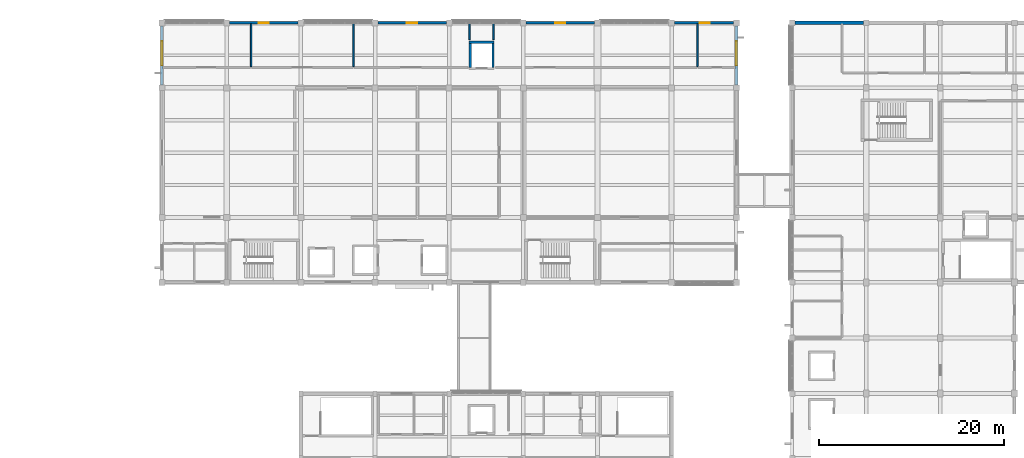
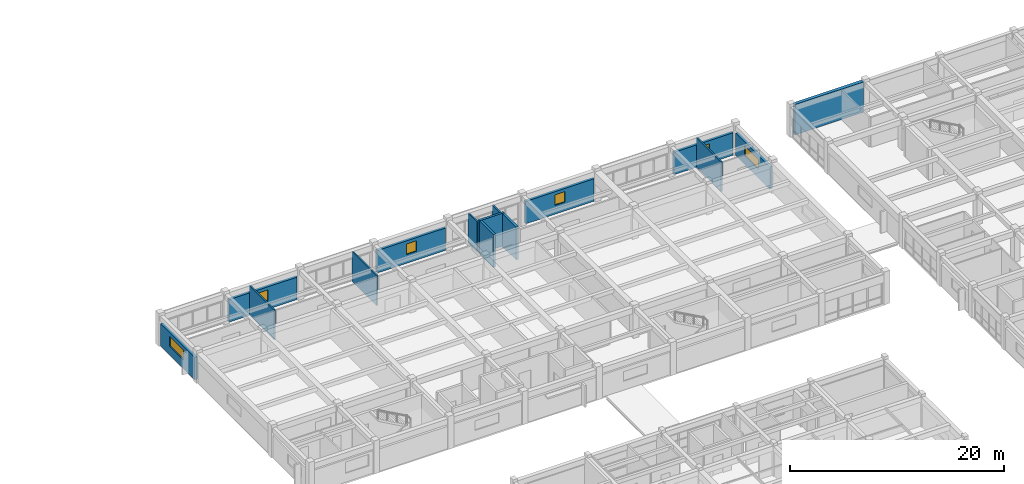
# One storey, part 26 of 33: 15 walls, 6 windows, 6 openings.
"""IFC4 building model written with IfcOpenShell, lengths in metres."""

from ifc_helpers import new_model, si_unit, direction, frame, frame_2d, origin, place, context, subcontext, project, spatial, rectangle, extrude, material, layer, layer_set, type_object, element, fill, save


model = new_model("IFC4")

# Units and contexts
model_context = context("Model", 3, precision=1e-05, world=origin(), true_north=direction((0.0, 1.0)))
body_context = subcontext(model_context, "Body", "Model", "MODEL_VIEW")
ifc_project = project(units=[si_unit("LENGTHUNIT", "METRE"), si_unit("AREAUNIT", "SQUARE_METRE"), si_unit("VOLUMEUNIT", "CUBIC_METRE"), si_unit("PLANEANGLEUNIT", "RADIAN"), si_unit("MASSUNIT", "GRAM", prefix="KILO")], contexts=[model_context])

# Site, building, storey
site_placement = place(None, origin())
site = spatial("IfcSite", under=ifc_project, at=site_placement, CompositionType="ELEMENT")
building_placement = place(site_placement, origin())
building = spatial("IfcBuilding", under=site, at=building_placement, Name="Naurynzar Civic Courthouse", CompositionType="ELEMENT")
storey_placement = place(building_placement, frame((0.0, 0.0, 22.050048828125)))
storey = spatial("IfcBuildingStorey", under=building, at=storey_placement, Name="L06", CompositionType="ELEMENT", Elevation=22.050048828125)

# Wall, opening, window
ifc_material_1 = material(Name="Precast concrete C40/50", Category="concrete")
ifc_layer_1 = layer(ifc_material_1, 0.280029296875)
ifc_layer_set_1 = layer_set([ifc_layer_1], Name="WL-EXT-280")
wall_type_1 = type_object("IfcWallType", Name="WL-EXT-280", PredefinedType="SOLIDWALL", material=ifc_layer_set_1)
wall_1_placement = place(storey_placement, frame((62.0, 65.3125, 0.0), z_axis=(0.0, 0.0, 1.0), x_axis=(0.0, 1.0, 0.0)))
wall_1 = element("IfcWall", 1, at=wall_1_placement, inside=storey, type_object=wall_type_1, Name="V2 exterior wall west L06.3.1", PredefinedType="SOLIDWALL", context=body_context, shape_type="SweptSolid", body=[
    extrude(rectangle(XDim=6.375, YDim=0.280029296875, at=frame_2d((3.1875, 0.0))), origin(), (0.0, 0.0, 1.0), 2.56005859375),
])
opening_1_placement = place(wall_1_placement, frame((2.10791015625, 0.0, 1.0)))
opening_1 = element("IfcOpeningElement", 2, at=opening_1_placement, cuts=wall_1, Name="Opening WN-17", PredefinedType="OPENING", context=body_context, shape_type="SweptSolid", body=[
    extrude(rectangle(XDim=2.60009765625, YDim=1.10009765625, at=frame_2d((1.300048828125, 0.550048828125))), frame((0.0, 0.14990234375, 0.0), z_axis=(0.0, -1.0, 0.0), x_axis=(1.0, 0.0, 0.0)), (0.0, 0.0, 1.0), 0.300048828125),
])
ifc_material_2 = material(Name="Tempered Laminated Low-E Glass", Category="glass")
window_type_1 = type_object("IfcWindowType", Name="WIN-CLER-2600x1100", PartitioningType="DOUBLE_PANEL_VERTICAL", PredefinedType="WINDOW", material=ifc_material_2)
window_1_placement = place(opening_1_placement, origin())
window_1 = element("IfcWindow", 3, at=window_1_placement, inside=storey, type_object=window_type_1, Name="V2 window 94 L06", OverallHeight=1.10009765625, OverallWidth=2.60009765625, PartitioningType="SINGLE_PANEL", PredefinedType="WINDOW", context=body_context, shape_type="SweptSolid", body=[
    extrude(rectangle(XDim=2.60009765625, YDim=1.10009765625, at=frame_2d((1.300048828125, 0.550048828125))), frame((0.0, 0.030029296875, 0.0), z_axis=(0.0, -1.0, 0.0), x_axis=(1.0, 0.0, 0.0)), (0.0, 0.0, 1.0), 0.06005859375),
])
fill(opening_1, window_1)

wall_2_placement = place(storey_placement, frame((69.3125, 72.0, 0.0), z_axis=(0.0, 0.0, 1.0), x_axis=(1.0, 0.0, 0.0)))
wall_2 = element("IfcWall", 4, at=wall_2_placement, inside=storey, type_object=wall_type_1, Name="V2 exterior wall north L06.2.1", PredefinedType="SOLIDWALL", context=body_context, shape_type="SweptSolid", body=[
    extrude(rectangle(XDim=7.375, YDim=0.280029296875, at=frame_2d((3.6875, 0.0))), origin(), (0.0, 0.0, 1.0), 2.56005859375),
])
opening_2_placement = place(wall_2_placement, frame((3.137451171875, 0.0, 1.0)))
opening_2 = element("IfcOpeningElement", 5, at=opening_2_placement, cuts=wall_2, Name="Opening WN-15", PredefinedType="OPENING", context=body_context, shape_type="SweptSolid", body=[
    extrude(rectangle(XDim=1.10009765625, YDim=1.199951171875, at=frame_2d((0.550048828125, 0.60009765625))), frame((0.0, 0.14990234375, 0.0), z_axis=(0.0, -1.0, 0.0), x_axis=(1.0, 0.0, 0.0)), (0.0, 0.0, 1.0), 0.300048828125),
])
ifc_material_3 = material(Name="Tempered Laminated Low-E Glass", Category="glass")
window_type_2 = type_object("IfcWindowType", Name="WIN-SEC-1100x1200", PartitioningType="SINGLE_PANEL", PredefinedType="WINDOW", material=ifc_material_3)
window_2_placement = place(opening_2_placement, origin())
window_2 = element("IfcWindow", 6, at=window_2_placement, inside=storey, type_object=window_type_2, Name="V2 window 95 L06", OverallHeight=1.199951171875, OverallWidth=1.10009765625, PartitioningType="SINGLE_PANEL", PredefinedType="WINDOW", context=body_context, shape_type="SweptSolid", body=[
    extrude(rectangle(XDim=1.10009765625, YDim=1.199951171875, at=frame_2d((0.550048828125, 0.60009765625))), frame((0.0, 0.030029296875, 0.0), z_axis=(0.0, -1.0, 0.0), x_axis=(1.0, 0.0, 0.0)), (0.0, 0.0, 1.0), 0.06005859375),
])
fill(opening_2, window_2)

wall_3_placement = place(storey_placement, frame((85.3125, 72.0, 0.0), z_axis=(0.0, 0.0, 1.0), x_axis=(1.0, 0.0, 0.0)))
wall_3 = element("IfcWall", 7, at=wall_3_placement, inside=storey, type_object=wall_type_1, Name="V2 exterior wall north L06.4.1", PredefinedType="SOLIDWALL", context=body_context, shape_type="SweptSolid", body=[
    extrude(rectangle(XDim=7.375, YDim=0.280029296875, at=frame_2d((3.6875, 0.0))), origin(), (0.0, 0.0, 1.0), 2.56005859375),
])
opening_3_placement = place(wall_3_placement, frame((3.137451171875, 0.0, 1.0)))
opening_3 = element("IfcOpeningElement", 8, at=opening_3_placement, cuts=wall_3, Name="Opening WN-15", PredefinedType="OPENING", context=body_context, shape_type="SweptSolid", body=[
    extrude(rectangle(XDim=1.10009765625, YDim=1.199951171875, at=frame_2d((0.550048828125, 0.60009765625))), frame((0.0, 0.14990234375, 0.0), z_axis=(0.0, -1.0, 0.0), x_axis=(1.0, 0.0, 0.0)), (0.0, 0.0, 1.0), 0.300048828125),
])
window_3_placement = place(opening_3_placement, origin())
window_3 = element("IfcWindow", 9, at=window_3_placement, inside=storey, type_object=window_type_2, Name="V2 window 96 L06", OverallHeight=1.199951171875, OverallWidth=1.10009765625, PartitioningType="SINGLE_PANEL", PredefinedType="WINDOW", context=body_context, shape_type="SweptSolid", body=[
    extrude(rectangle(XDim=1.10009765625, YDim=1.199951171875, at=frame_2d((0.550048828125, 0.60009765625))), frame((0.0, 0.030029296875, 0.0), z_axis=(0.0, -1.0, 0.0), x_axis=(1.0, 0.0, 0.0)), (0.0, 0.0, 1.0), 0.06005859375),
])
fill(opening_3, window_3)

wall_4_placement = place(storey_placement, frame((101.3125, 72.0, 0.0), z_axis=(0.0, 0.0, 1.0), x_axis=(1.0, 0.0, 0.0)))
wall_4 = element("IfcWall", 10, at=wall_4_placement, inside=storey, type_object=wall_type_1, Name="V2 exterior wall north L06.6.1", PredefinedType="SOLIDWALL", context=body_context, shape_type="SweptSolid", body=[
    extrude(rectangle(XDim=7.375, YDim=0.280029296875, at=frame_2d((3.6875, 0.0))), origin(), (0.0, 0.0, 1.0), 2.56005859375),
])
opening_4_placement = place(wall_4_placement, frame((3.137451171875, 0.0, 1.0)))
opening_4 = element("IfcOpeningElement", 11, at=opening_4_placement, cuts=wall_4, Name="Opening WN-15", PredefinedType="OPENING", context=body_context, shape_type="SweptSolid", body=[
    extrude(rectangle(XDim=1.10009765625, YDim=1.199951171875, at=frame_2d((0.550048828125, 0.60009765625))), frame((0.0, 0.14990234375, 0.0), z_axis=(0.0, -1.0, 0.0), x_axis=(1.0, 0.0, 0.0)), (0.0, 0.0, 1.0), 0.300048828125),
])
window_4_placement = place(opening_4_placement, origin())
window_4 = element("IfcWindow", 12, at=window_4_placement, inside=storey, type_object=window_type_2, Name="V2 window 97 L06", OverallHeight=1.199951171875, OverallWidth=1.10009765625, PartitioningType="SINGLE_PANEL", PredefinedType="WINDOW", context=body_context, shape_type="SweptSolid", body=[
    extrude(rectangle(XDim=1.10009765625, YDim=1.199951171875, at=frame_2d((0.550048828125, 0.60009765625))), frame((0.0, 0.030029296875, 0.0), z_axis=(0.0, -1.0, 0.0), x_axis=(1.0, 0.0, 0.0)), (0.0, 0.0, 1.0), 0.06005859375),
])
fill(opening_4, window_4)

wall_5_placement = place(storey_placement, frame((117.3125, 72.0, 0.0), z_axis=(0.0, 0.0, 1.0), x_axis=(1.0, 0.0, 0.0)))
wall_5 = element("IfcWall", 13, at=wall_5_placement, inside=storey, type_object=wall_type_1, Name="V2 exterior wall north L06.8.1", PredefinedType="SOLIDWALL", context=body_context, shape_type="SweptSolid", body=[
    extrude(rectangle(XDim=6.375, YDim=0.280029296875, at=frame_2d((3.1875, 0.0))), origin(), (0.0, 0.0, 1.0), 2.56005859375),
])
opening_5_placement = place(wall_5_placement, frame((2.70703125, 0.0, 1.0)))
opening_5 = element("IfcOpeningElement", 14, at=opening_5_placement, cuts=wall_5, Name="Opening WN-15", PredefinedType="OPENING", context=body_context, shape_type="SweptSolid", body=[
    extrude(rectangle(XDim=1.10009765625, YDim=1.199951171875, at=frame_2d((0.550048828125, 0.60009765625))), frame((0.0, 0.14990234375, 0.0), z_axis=(0.0, -1.0, 0.0), x_axis=(1.0, 0.0, 0.0)), (0.0, 0.0, 1.0), 0.300048828125),
])
window_5_placement = place(opening_5_placement, origin())
window_5 = element("IfcWindow", 15, at=window_5_placement, inside=storey, type_object=window_type_2, Name="V2 window 98 L06", OverallHeight=1.199951171875, OverallWidth=1.10009765625, PartitioningType="SINGLE_PANEL", PredefinedType="WINDOW", context=body_context, shape_type="SweptSolid", body=[
    extrude(rectangle(XDim=1.10009765625, YDim=1.199951171875, at=frame_2d((0.550048828125, 0.60009765625))), frame((0.0, 0.030029296875, 0.0), z_axis=(0.0, -1.0, 0.0), x_axis=(1.0, 0.0, 0.0)), (0.0, 0.0, 1.0), 0.06005859375),
])
fill(opening_5, window_5)

wall_6_placement = place(storey_placement, frame((124.0, 71.6875, 0.0), z_axis=(0.0, 0.0, 1.0), x_axis=(0.0, -1.0, 0.0)))
wall_6 = element("IfcWall", 16, at=wall_6_placement, inside=storey, type_object=wall_type_1, Name="V2 exterior wall east L06.1.1", PredefinedType="SOLIDWALL", context=body_context, shape_type="SweptSolid", body=[
    extrude(rectangle(XDim=6.375, YDim=0.280029296875, at=frame_2d((3.1875, 0.0))), origin(), (0.0, 0.0, 1.0), 2.56005859375),
])
opening_6_placement = place(wall_6_placement, frame((1.6669921875, 0.0, 1.0)))
opening_6 = element("IfcOpeningElement", 17, at=opening_6_placement, cuts=wall_6, Name="Opening WN-17", PredefinedType="OPENING", context=body_context, shape_type="SweptSolid", body=[
    extrude(rectangle(XDim=2.60009765625, YDim=1.10009765625, at=frame_2d((1.300048828125, 0.550048828125))), frame((0.0, 0.14990234375, 0.0), z_axis=(0.0, -1.0, 0.0), x_axis=(1.0, 0.0, 0.0)), (0.0, 0.0, 1.0), 0.300048828125),
])
window_6_placement = place(opening_6_placement, origin())
window_6 = element("IfcWindow", 18, at=window_6_placement, inside=storey, type_object=window_type_1, Name="V2 window 99 L06", OverallHeight=1.10009765625, OverallWidth=2.60009765625, PartitioningType="SINGLE_PANEL", PredefinedType="WINDOW", context=body_context, shape_type="SweptSolid", body=[
    extrude(rectangle(XDim=2.60009765625, YDim=1.10009765625, at=frame_2d((1.300048828125, 0.550048828125))), frame((0.0, 0.030029296875, 0.0), z_axis=(0.0, -1.0, 0.0), x_axis=(1.0, 0.0, 0.0)), (0.0, 0.0, 1.0), 0.06005859375),
])
fill(opening_6, window_6)

# Walls
ifc_material_4 = material(Name="Insulated Metal-Stud Gypsum Partition")
ifc_layer_2 = layer(ifc_material_4, 0.159912109375)
ifc_layer_set_2 = layer_set([ifc_layer_2], Name="WL-PART-CHAMB-160")
wall_type_2 = type_object("IfcWallType", Name="WL-PART-CHAMB-160", PredefinedType="PARTITIONING", material=ifc_layer_set_2)
for number, where, z_axis, x_axis, name in (
    (19, (71.6201171875, 67.280029296875, 0.0), (0.0, 0.0, 1.0), (0.0, 1.0, 0.0), "V2 interior partition L06.691"),
    (20, (82.68994140625, 67.280029296875, 0.0), (0.0, 0.0, 1.0), (0.0, 1.0, 0.0), "V2 interior partition L06.694"),
):
    element("IfcWall", number, at=place(storey_placement, frame(where, z_axis=z_axis, x_axis=x_axis)), inside=storey, type_object=wall_type_2, Name=name, PredefinedType="PARTITIONING", context=body_context, shape_type="SweptSolid", body=[
        extrude(rectangle(XDim=4.639892578125, YDim=0.159912109375, at=frame_2d((2.31982421875, 0.0))), origin(), (0.0, 0.0, 1.0), 3.389892578125),
    ])
for number, where, z_axis, x_axis, name in (
    (21, (95.199951171875, 70.199951171875, 0.0), (0.0, 0.0, 1.0), (0.0, 1.0, 0.0), "V2 interior partition L06.700"),
    (22, (97.800048828125, 70.199951171875, 0.0), (0.0, 0.0, 1.0), (0.0, 1.0, 0.0), "V2 interior partition L06.701"),
):
    element("IfcWall", number, at=place(storey_placement, frame(where, z_axis=z_axis, x_axis=x_axis)), inside=storey, type_object=wall_type_2, Name=name, PredefinedType="PARTITIONING", context=body_context, shape_type="SweptSolid", body=[
        extrude(rectangle(XDim=1.719970703125, YDim=0.159912109375, at=frame_2d((0.85986328125, 0.0))), origin(), (0.0, 0.0, 1.0), 3.389892578125),
    ])
wall_7_placement = place(storey_placement, frame((119.800048828125, 67.280029296875, 0.0), z_axis=(0.0, 0.0, 1.0), x_axis=(0.0, 1.0, 0.0)))
element("IfcWall", 23, at=wall_7_placement, inside=storey, type_object=wall_type_2, Name="V2 interior partition L06.709", PredefinedType="PARTITIONING", context=body_context, shape_type="SweptSolid", body=[
    extrude(rectangle(XDim=4.639892578125, YDim=0.159912109375, at=frame_2d((2.31982421875, 0.0))), origin(), (0.0, 0.0, 1.0), 3.389892578125),
])
ifc_material_5 = material(Name="Concrete C40/50", Category="concrete")
ifc_layer_3 = layer(ifc_material_5, 0.360107421875)
ifc_layer_set_3 = layer_set([ifc_layer_3], Name="WL-PARTY-360")
wall_type_3 = type_object("IfcWallType", Name="WL-PARTY-360", PredefinedType="SOLIDWALL", material=ifc_layer_set_3)
wall_8_placement = place(storey_placement, frame((130.300048828125, 72.0, 0.0), z_axis=(0.0, 0.0, 1.0), x_axis=(1.0, 0.0, 0.0)))
element("IfcWall", 24, at=wall_8_placement, inside=storey, type_object=wall_type_3, Name="V5 solid seismic party wall L06 1", PredefinedType="SOLIDWALL", context=body_context, shape_type="SweptSolid", body=[
    extrude(rectangle(XDim=7.39990234375, YDim=0.360107421875, at=frame_2d((3.699951171875, 0.0))), origin(), (0.0, 0.0, 1.0), 3.469970703125),
])
ifc_material_6 = material(Name="Concrete C40/50", Category="concrete")
ifc_layer_4 = layer(ifc_material_6, 0.25)
ifc_layer_set_4 = layer_set([ifc_layer_4], Name="WL-SHAFT-250")
wall_type_4 = type_object("IfcWallType", Name="WL-SHAFT-250", PredefinedType="SHEAR", material=ifc_layer_set_4)
wall_9_placement = place(storey_placement, frame((97.85009765625, 69.925048828125, 0.0), z_axis=(0.0, 0.0, 1.0), x_axis=(-1.0, 0.0, 0.0)))
element("IfcWall", 25, at=wall_9_placement, inside=storey, type_object=wall_type_4, Name="Lift LJ-02 shaft wall north L06", PredefinedType="SHEAR", context=body_context, shape_type="SweptSolid", body=[
    extrude(rectangle(XDim=2.7001953125, YDim=0.25, at=frame_2d((1.35009765625, 0.0))), origin(), (0.0, 0.0, 1.0), 3.75),
])
for number, where, z_axis, x_axis, name in (
    (26, (95.27490234375, 69.794921875, 0.0), (0.0, 0.0, 1.0), (0.0, -1.0, 0.0), "Lift LJ-02 shaft wall west L06"),
    (27, (97.72509765625, 67.205078125, 0.0), (0.0, 0.0, 1.0), (0.0, 1.0, 0.0), "Lift LJ-02 shaft wall east L06"),
):
    element("IfcWall", number, at=place(storey_placement, frame(where, z_axis=z_axis, x_axis=x_axis)), inside=storey, type_object=wall_type_4, Name=name, PredefinedType="SHEAR", context=body_context, shape_type="SweptSolid", body=[
        extrude(rectangle(XDim=2.58984375, YDim=0.25, at=frame_2d((1.294921875, 0.0))), origin(), (0.0, 0.0, 1.0), 3.75),
    ])

save(model, "model.ifc")
